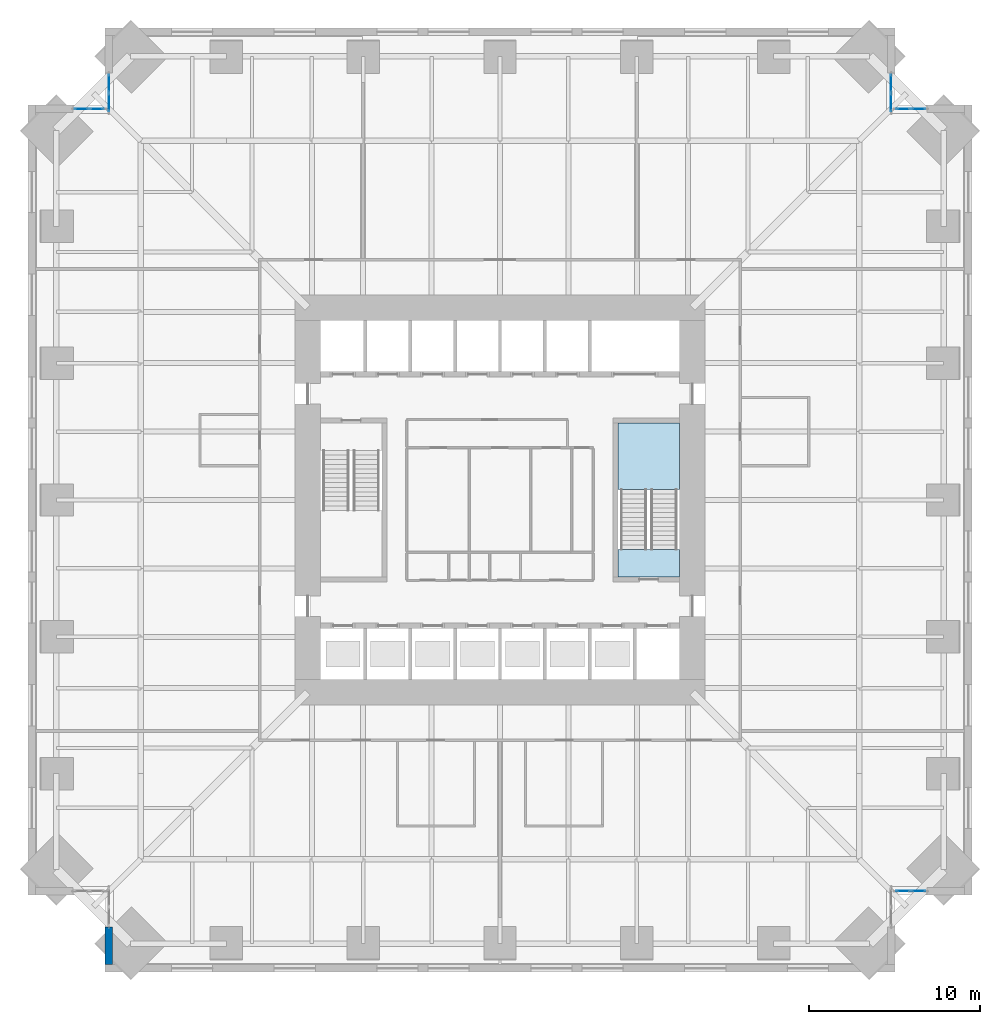
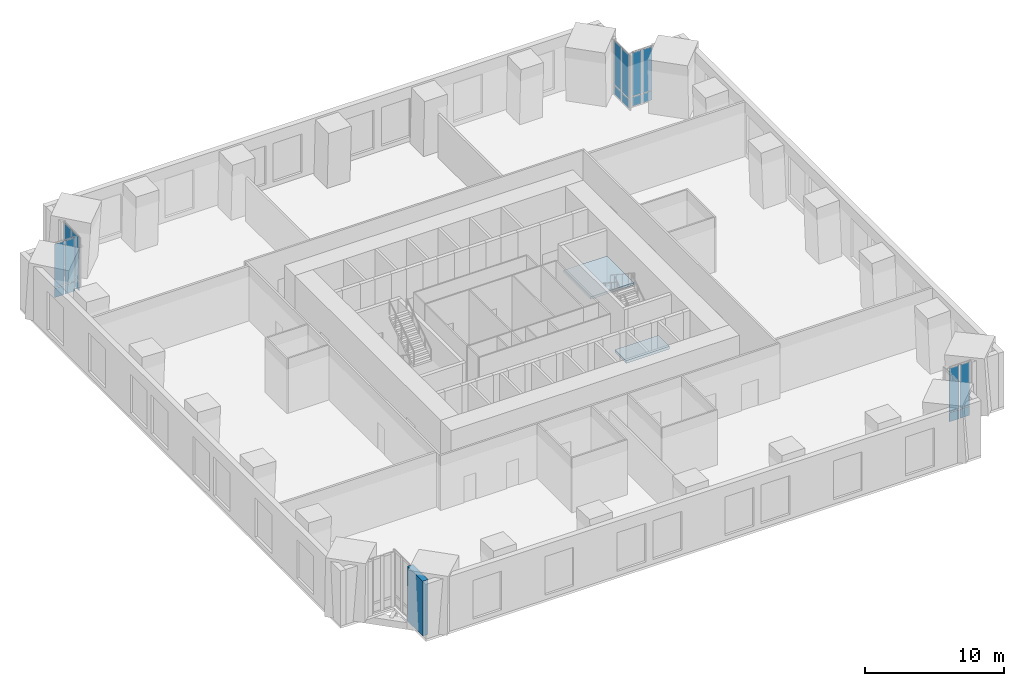
# One storey, part 11 of 18: 20 plates, 2 slabs, 1 wall, 6 elements without a shape of their own.
"""IFC4 building model written with IfcOpenShell, lengths in metres."""

from ifc_helpers import new_model, si_unit, direction, frame, frame_2d, origin, origin_2d, place, context, subcontext, project, spatial, polyline, rectangle, outline, extrude, material, layer, layer_set, type_object, element, aggregate, save


model = new_model("IFC4")

# Units and contexts
model_context = context("Model", 3, precision=1e-05, world=origin(), true_north=direction((0.0, 1.0)))
body_context = subcontext(model_context, "Body", "Model", "MODEL_VIEW")
ifc_project = project(units=[si_unit("LENGTHUNIT", "METRE"), si_unit("AREAUNIT", "SQUARE_METRE"), si_unit("VOLUMEUNIT", "CUBIC_METRE"), si_unit("PLANEANGLEUNIT", "RADIAN"), si_unit("MASSUNIT", "GRAM", prefix="KILO")], contexts=[model_context])

# Site, building, storey
site_placement = place(None, origin())
site = spatial("IfcSite", under=ifc_project, at=site_placement, CompositionType="ELEMENT")
building_placement = place(site_placement, origin())
building = spatial("IfcBuilding", under=site, at=building_placement, Name="Peilmerk Tower", CompositionType="ELEMENT")
storey_placement = place(building_placement, frame((0.0, 0.0, 122.800048828125)))
storey = spatial("IfcBuildingStorey", under=building, at=storey_placement, Name="L24", CompositionType="ELEMENT", Elevation=122.800048828125)

# Curtain wall, plates
ifc_material_1 = material(Name="Aluminium stick curtain wall", Category="aluminium")
curtain_wall_type = type_object("IfcCurtainWallType", Name="CW2 stick curtain wall, 2250 module", PredefinedType="NOTDEFINED", material=ifc_material_1)
curtain_wall_1_placement = place(storey_placement, origin())
curtain_wall_1 = element("IfcCurtainWall", 1, at=curtain_wall_1_placement, inside=storey, type_object=curtain_wall_type, Name="Curtain wall CW2 NEA L24", PredefinedType="NOTDEFINED")
ifc_material_2 = material(Name="Clear insulated glazing unit", Category="glass")
ifc_layer_1 = layer(ifc_material_2, 0.028076171875)
ifc_layer_set_1 = layer_set([ifc_layer_1], Name="Clear insulated glazing unit")
plate_type = type_object("IfcPlateType", Name="CW2-P 28 glazed panel", PredefinedType="CURTAIN_PANEL", material=ifc_layer_set_1)
plate_1_placement = place(storey_placement, frame((22.875, 23.2421875, 0.06494140625), z_axis=(0.0, 0.0, 1.0), x_axis=(0.0, 1.0, 0.0)))
plate_1 = element("IfcPlate", 2, at=plate_1_placement, type_object=plate_type, Name="CW2 panel 1.1", PredefinedType="CURTAIN_PANEL", context=body_context, shape_type="SweptSolid", body=[
    extrude(rectangle(XDim=1.0244140625, YDim=0.028076171875, at=origin_2d()), origin(), (0.0, 0.0, 1.0), 0.802490234375),
])
plate_2_placement = place(storey_placement, frame((22.875, 23.2421875, 0.932373046875), z_axis=(0.0, 0.0, 1.0), x_axis=(0.0, 1.0, 0.0)))
plate_2 = element("IfcPlate", 3, at=plate_2_placement, type_object=plate_type, Name="CW2 panel 1.2", PredefinedType="CURTAIN_PANEL", context=body_context, shape_type="SweptSolid", body=[
    extrude(rectangle(XDim=1.0244140625, YDim=0.028076171875, at=origin_2d()), origin(), (0.0, 0.0, 1.0), 3.83251953125),
])
plate_3_placement = place(storey_placement, frame((22.875, 24.346435546875, 0.06494140625), z_axis=(0.0, 0.0, 1.0), x_axis=(0.0, 1.0, 0.0)))
plate_3 = element("IfcPlate", 4, at=plate_3_placement, type_object=plate_type, Name="CW2 panel 2.1", PredefinedType="CURTAIN_PANEL", context=body_context, shape_type="SweptSolid", body=[
    extrude(rectangle(XDim=1.0244140625, YDim=0.028076171875, at=origin_2d()), origin(), (0.0, 0.0, 1.0), 0.802490234375),
])
plate_4_placement = place(storey_placement, frame((22.875, 24.346435546875, 0.932373046875), z_axis=(0.0, 0.0, 1.0), x_axis=(0.0, 1.0, 0.0)))
plate_4 = element("IfcPlate", 5, at=plate_4_placement, type_object=plate_type, Name="CW2 panel 2.2", PredefinedType="CURTAIN_PANEL", context=body_context, shape_type="SweptSolid", body=[
    extrude(rectangle(XDim=1.0244140625, YDim=0.028076171875, at=origin_2d()), origin(), (0.0, 0.0, 1.0), 3.83251953125),
])
aggregate(curtain_wall_1, [plate_1, plate_2, plate_3, plate_4])

curtain_wall_2_placement = place(storey_placement, origin())
curtain_wall_2 = element("IfcCurtainWall", 6, at=curtain_wall_2_placement, inside=storey, type_object=curtain_wall_type, Name="Curtain wall CW2 NEB L24", PredefinedType="NOTDEFINED")
plate_5_placement = place(storey_placement, frame((23.57958984375, 22.875, 0.06494140625), z_axis=(0.0, 0.0, 1.0), x_axis=(1.0, 0.0, 0.0)))
plate_5 = element("IfcPlate", 7, at=plate_5_placement, type_object=plate_type, Name="CW2 panel 1.1", PredefinedType="CURTAIN_PANEL", context=body_context, shape_type="SweptSolid", body=[
    extrude(rectangle(XDim=0.79931640625, YDim=0.028076171875, at=origin_2d()), origin(), (0.0, 0.0, 1.0), 0.802490234375),
])
plate_6_placement = place(storey_placement, frame((23.57958984375, 22.875, 0.932373046875), z_axis=(0.0, 0.0, 1.0), x_axis=(1.0, 0.0, 0.0)))
plate_6 = element("IfcPlate", 8, at=plate_6_placement, type_object=plate_type, Name="CW2 panel 1.2", PredefinedType="CURTAIN_PANEL", context=body_context, shape_type="SweptSolid", body=[
    extrude(rectangle(XDim=0.79931640625, YDim=0.028076171875, at=origin_2d()), origin(), (0.0, 0.0, 1.0), 3.83251953125),
])
plate_7_placement = place(storey_placement, frame((24.458984375, 22.875, 0.06494140625), z_axis=(0.0, 0.0, 1.0), x_axis=(1.0, 0.0, 0.0)))
plate_7 = element("IfcPlate", 9, at=plate_7_placement, type_object=plate_type, Name="CW2 panel 2.1", PredefinedType="CURTAIN_PANEL", context=body_context, shape_type="SweptSolid", body=[
    extrude(rectangle(XDim=0.79931640625, YDim=0.028076171875, at=origin_2d()), origin(), (0.0, 0.0, 1.0), 0.802490234375),
])
plate_8_placement = place(storey_placement, frame((24.458984375, 22.875, 0.932373046875), z_axis=(0.0, 0.0, 1.0), x_axis=(1.0, 0.0, 0.0)))
plate_8 = element("IfcPlate", 10, at=plate_8_placement, type_object=plate_type, Name="CW2 panel 2.2", PredefinedType="CURTAIN_PANEL", context=body_context, shape_type="SweptSolid", body=[
    extrude(rectangle(XDim=0.79931640625, YDim=0.028076171875, at=origin_2d()), origin(), (0.0, 0.0, 1.0), 3.83251953125),
])
aggregate(curtain_wall_2, [plate_5, plate_6, plate_7, plate_8])

curtain_wall_3_placement = place(storey_placement, origin())
curtain_wall_3 = element("IfcCurtainWall", 11, at=curtain_wall_3_placement, inside=storey, type_object=curtain_wall_type, Name="Curtain wall CW2 SEB L24", PredefinedType="NOTDEFINED")
plate_9_placement = place(storey_placement, frame((23.57958984375, -22.875, 0.06494140625), z_axis=(0.0, 0.0, 1.0), x_axis=(1.0, 0.0, 0.0)))
plate_9 = element("IfcPlate", 12, at=plate_9_placement, type_object=plate_type, Name="CW2 panel 1.1", PredefinedType="CURTAIN_PANEL", context=body_context, shape_type="SweptSolid", body=[
    extrude(rectangle(XDim=0.79931640625, YDim=0.028076171875, at=origin_2d()), origin(), (0.0, 0.0, 1.0), 0.802490234375),
])
plate_10_placement = place(storey_placement, frame((23.57958984375, -22.875, 0.932373046875), z_axis=(0.0, 0.0, 1.0), x_axis=(1.0, 0.0, 0.0)))
plate_10 = element("IfcPlate", 13, at=plate_10_placement, type_object=plate_type, Name="CW2 panel 1.2", PredefinedType="CURTAIN_PANEL", context=body_context, shape_type="SweptSolid", body=[
    extrude(rectangle(XDim=0.79931640625, YDim=0.028076171875, at=origin_2d()), origin(), (0.0, 0.0, 1.0), 3.83251953125),
])
plate_11_placement = place(storey_placement, frame((24.458984375, -22.875, 0.06494140625), z_axis=(0.0, 0.0, 1.0), x_axis=(1.0, 0.0, 0.0)))
plate_11 = element("IfcPlate", 14, at=plate_11_placement, type_object=plate_type, Name="CW2 panel 2.1", PredefinedType="CURTAIN_PANEL", context=body_context, shape_type="SweptSolid", body=[
    extrude(rectangle(XDim=0.79931640625, YDim=0.028076171875, at=origin_2d()), origin(), (0.0, 0.0, 1.0), 0.802490234375),
])
plate_12_placement = place(storey_placement, frame((24.458984375, -22.875, 0.932373046875), z_axis=(0.0, 0.0, 1.0), x_axis=(1.0, 0.0, 0.0)))
plate_12 = element("IfcPlate", 15, at=plate_12_placement, type_object=plate_type, Name="CW2 panel 2.2", PredefinedType="CURTAIN_PANEL", context=body_context, shape_type="SweptSolid", body=[
    extrude(rectangle(XDim=0.79931640625, YDim=0.028076171875, at=origin_2d()), origin(), (0.0, 0.0, 1.0), 3.83251953125),
])
aggregate(curtain_wall_3, [plate_9, plate_10, plate_11, plate_12])

curtain_wall_4_placement = place(storey_placement, origin())
curtain_wall_4 = element("IfcCurtainWall", 16, at=curtain_wall_4_placement, inside=storey, type_object=curtain_wall_type, Name="Curtain wall CW2 NWA L24", PredefinedType="NOTDEFINED")
plate_13_placement = place(storey_placement, frame((-22.875, 23.2421875, 0.06494140625), z_axis=(0.0, 0.0, 1.0), x_axis=(0.0, 1.0, 0.0)))
plate_13 = element("IfcPlate", 17, at=plate_13_placement, type_object=plate_type, Name="CW2 panel 1.1", PredefinedType="CURTAIN_PANEL", context=body_context, shape_type="SweptSolid", body=[
    extrude(rectangle(XDim=1.0244140625, YDim=0.028076171875, at=origin_2d()), origin(), (0.0, 0.0, 1.0), 0.802490234375),
])
plate_14_placement = place(storey_placement, frame((-22.875, 23.2421875, 0.932373046875), z_axis=(0.0, 0.0, 1.0), x_axis=(0.0, 1.0, 0.0)))
plate_14 = element("IfcPlate", 18, at=plate_14_placement, type_object=plate_type, Name="CW2 panel 1.2", PredefinedType="CURTAIN_PANEL", context=body_context, shape_type="SweptSolid", body=[
    extrude(rectangle(XDim=1.0244140625, YDim=0.028076171875, at=origin_2d()), origin(), (0.0, 0.0, 1.0), 3.83251953125),
])
plate_15_placement = place(storey_placement, frame((-22.875, 24.346435546875, 0.06494140625), z_axis=(0.0, 0.0, 1.0), x_axis=(0.0, 1.0, 0.0)))
plate_15 = element("IfcPlate", 19, at=plate_15_placement, type_object=plate_type, Name="CW2 panel 2.1", PredefinedType="CURTAIN_PANEL", context=body_context, shape_type="SweptSolid", body=[
    extrude(rectangle(XDim=1.0244140625, YDim=0.028076171875, at=origin_2d()), origin(), (0.0, 0.0, 1.0), 0.802490234375),
])
plate_16_placement = place(storey_placement, frame((-22.875, 24.346435546875, 0.932373046875), z_axis=(0.0, 0.0, 1.0), x_axis=(0.0, 1.0, 0.0)))
plate_16 = element("IfcPlate", 20, at=plate_16_placement, type_object=plate_type, Name="CW2 panel 2.2", PredefinedType="CURTAIN_PANEL", context=body_context, shape_type="SweptSolid", body=[
    extrude(rectangle(XDim=1.0244140625, YDim=0.028076171875, at=origin_2d()), origin(), (0.0, 0.0, 1.0), 3.83251953125),
])
aggregate(curtain_wall_4, [plate_13, plate_14, plate_15, plate_16])

curtain_wall_5_placement = place(storey_placement, origin())
curtain_wall_5 = element("IfcCurtainWall", 21, at=curtain_wall_5_placement, inside=storey, type_object=curtain_wall_type, Name="Curtain wall CW2 NWB L24", PredefinedType="NOTDEFINED")
plate_17_placement = place(storey_placement, frame((-23.57958984375, 22.875, 0.06494140625), z_axis=(0.0, 0.0, 1.0), x_axis=(-1.0, 0.0, 0.0)))
plate_17 = element("IfcPlate", 22, at=plate_17_placement, type_object=plate_type, Name="CW2 panel 1.1", PredefinedType="CURTAIN_PANEL", context=body_context, shape_type="SweptSolid", body=[
    extrude(rectangle(XDim=0.79931640625, YDim=0.028076171875, at=origin_2d()), origin(), (0.0, 0.0, 1.0), 0.802490234375),
])
plate_18_placement = place(storey_placement, frame((-23.57958984375, 22.875, 0.932373046875), z_axis=(0.0, 0.0, 1.0), x_axis=(-1.0, 0.0, 0.0)))
plate_18 = element("IfcPlate", 23, at=plate_18_placement, type_object=plate_type, Name="CW2 panel 1.2", PredefinedType="CURTAIN_PANEL", context=body_context, shape_type="SweptSolid", body=[
    extrude(rectangle(XDim=0.79931640625, YDim=0.028076171875, at=origin_2d()), origin(), (0.0, 0.0, 1.0), 3.83251953125),
])
plate_19_placement = place(storey_placement, frame((-24.458984375, 22.875, 0.06494140625), z_axis=(0.0, 0.0, 1.0), x_axis=(-1.0, 0.0, 0.0)))
plate_19 = element("IfcPlate", 24, at=plate_19_placement, type_object=plate_type, Name="CW2 panel 2.1", PredefinedType="CURTAIN_PANEL", context=body_context, shape_type="SweptSolid", body=[
    extrude(rectangle(XDim=0.79931640625, YDim=0.028076171875, at=origin_2d()), origin(), (0.0, 0.0, 1.0), 0.802490234375),
])
plate_20_placement = place(storey_placement, frame((-24.458984375, 22.875, 0.932373046875), z_axis=(0.0, 0.0, 1.0), x_axis=(-1.0, 0.0, 0.0)))
plate_20 = element("IfcPlate", 25, at=plate_20_placement, type_object=plate_type, Name="CW2 panel 2.2", PredefinedType="CURTAIN_PANEL", context=body_context, shape_type="SweptSolid", body=[
    extrude(rectangle(XDim=0.79931640625, YDim=0.028076171875, at=origin_2d()), origin(), (0.0, 0.0, 1.0), 3.83251953125),
])
aggregate(curtain_wall_5, [plate_17, plate_18, plate_19, plate_20])

# Stair, slabs
ifc_material_3 = material(Name="Precast concrete C45/55", Category="concrete")
stair_type = type_object("IfcStairType", Name="ST2 28 risers of 178.6", PredefinedType="HALF_TURN_STAIR", material=ifc_material_3)
stair_placement = place(storey_placement, origin())
stair = element("IfcStair", 26, at=stair_placement, inside=storey, type_object=stair_type, Name="Stair 2 L24 to L25", PredefinedType="HALF_TURN_STAIR")
ifc_material_4 = material(Name="Concrete C35/45", Category="concrete")
ifc_layer_2 = layer(ifc_material_4, 0.199951171875)
ifc_layer_set_2 = layer_set([ifc_layer_2], Name="Concrete C35/45")
slab_type_1 = type_object("IfcSlabType", Name="SL1 200 concrete stair landing", PredefinedType="LANDING", material=ifc_layer_set_2)
slab_1_placement = place(storey_placement, frame((0.0, 0.0, 2.300048828125)))
slab_1 = element("IfcSlab", 27, at=slab_1_placement, type_object=slab_type_1, Name="ST2 landing 1", PredefinedType="LANDING", context=body_context, shape_type="SweptSolid", body=[
    extrude(outline(polyline([(6.89990234375, 0.610107421875), (10.5, 0.610107421875), (10.5, 4.5), (6.89990234375, 4.5), (6.89990234375, 0.610107421875)])), origin(), (0.0, 0.0, 1.0), 0.199951171875),
])
ifc_layer_3 = layer(ifc_material_4, 0.25)
ifc_layer_set_3 = layer_set([ifc_layer_3], Name="Concrete C35/45")
slab_type_2 = type_object("IfcSlabType", Name="SL2 250 concrete floor landing", PredefinedType="LANDING", material=ifc_layer_set_3)
slab_2_placement = place(storey_placement, frame((0.0, 0.0, -0.25)))
slab_2 = element("IfcSlab", 28, at=slab_2_placement, type_object=slab_type_2, Name="ST2 floor landing", PredefinedType="LANDING", context=body_context, shape_type="SweptSolid", body=[
    extrude(outline(polyline([(6.89990234375, -4.5), (10.5, -4.5), (10.5, -2.89990234375), (6.89990234375, -2.89990234375), (6.89990234375, -4.5)])), origin(), (0.0, 0.0, 1.0), 0.25),
])
aggregate(stair, [slab_1, slab_2])

# Wall
ifc_material_5 = material(Name="Precast concrete C45/55, board-marked finish", Category="concrete")
ifc_layer_4 = layer(ifc_material_5, 0.449951171875)
ifc_layer_set_4 = layer_set([ifc_layer_4], Name="Precast concrete C45/55, board-marked finish")
wall_type = type_object("IfcWallType", Name="EW1 450 precast concrete facade wall, board-marked", PredefinedType="SOLIDWALL", material=ifc_layer_set_4)
wall_placement = place(storey_placement, frame((-22.875, -24.95361328125, 0.0), z_axis=(0.0, 0.0, 1.0), x_axis=(0.0, -1.0, 0.0)))
element("IfcWall", 29, at=wall_placement, inside=storey, type_object=wall_type, Name="Facade wall SWA L24", PredefinedType="SOLIDWALL", context=body_context, shape_type="SweptSolid", body=[
    extrude(rectangle(XDim=2.1962890625, YDim=0.449951171875, at=frame_2d((1.09814453125, 0.0))), origin(), (0.0, 0.0, 1.0), 4.829833984375),
])

save(model, "model.ifc")
